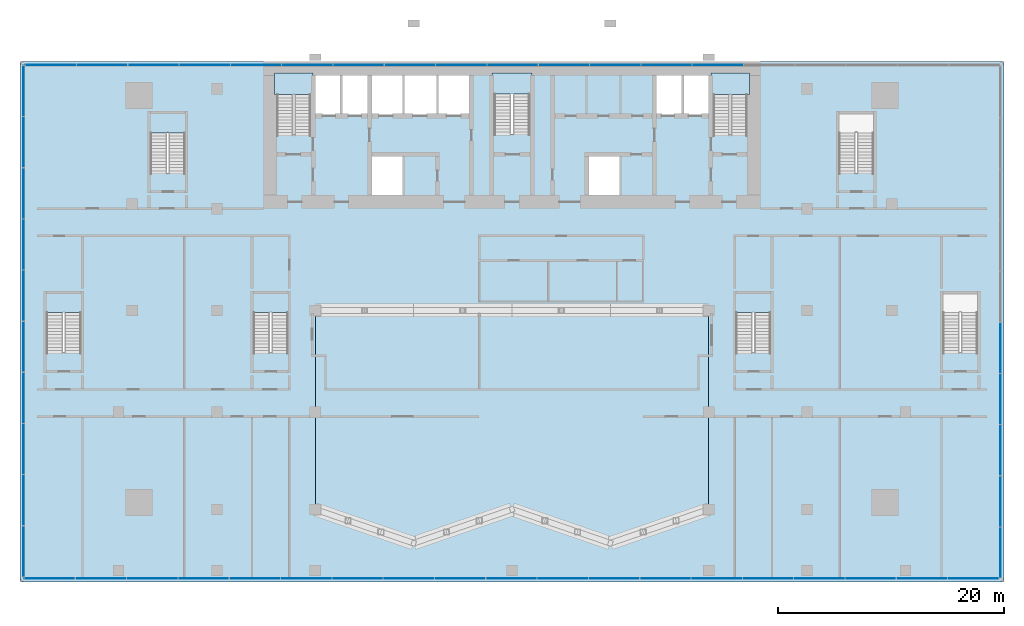
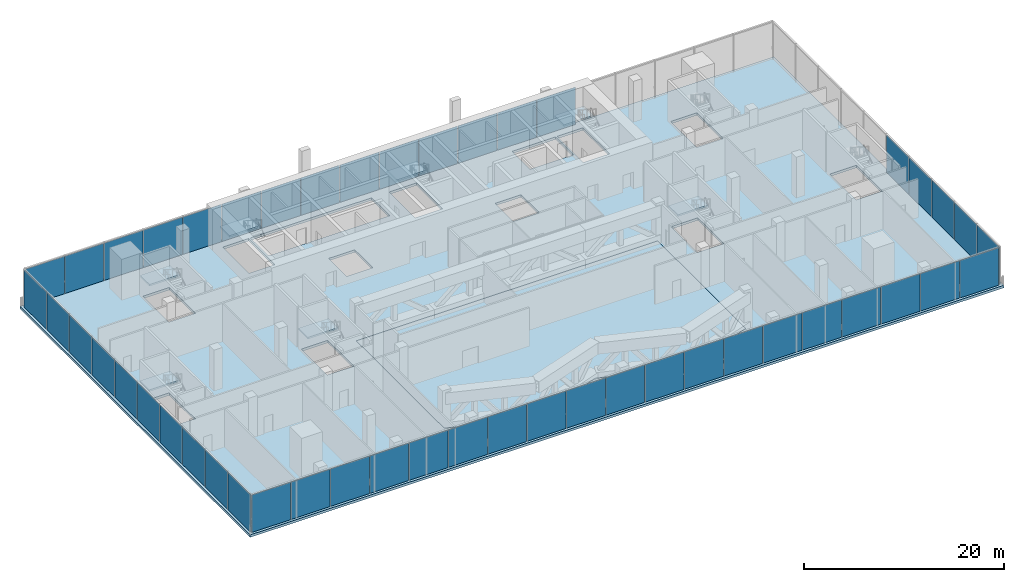
# One storey, part 11 of 22: 48 plates, 9 slabs, 11 elements without a shape of their own.
"""IFC4 building model written with IfcOpenShell, lengths in metres."""

from ifc_helpers import new_model, si_unit, direction, frame, origin, origin_2d, place, context, subcontext, project, spatial, polyline, rectangle, outline, extrude, material, layer, layer_set, type_object, element, aggregate, save


model = new_model("IFC4")

# Units and contexts
model_context = context("Model", 3, precision=1e-05, world=origin(), true_north=direction((0.0, 1.0)))
body_context = subcontext(model_context, "Body", "Model", "MODEL_VIEW")
ifc_project = project(units=[si_unit("LENGTHUNIT", "METRE"), si_unit("AREAUNIT", "SQUARE_METRE"), si_unit("VOLUMEUNIT", "CUBIC_METRE"), si_unit("PLANEANGLEUNIT", "RADIAN"), si_unit("MASSUNIT", "GRAM", prefix="KILO")], contexts=[model_context])

# Site, building, storey
site_placement = place(None, origin())
site = spatial("IfcSite", under=ifc_project, at=site_placement, CompositionType="ELEMENT")
building_placement = place(site_placement, origin())
building = spatial("IfcBuilding", under=site, at=building_placement, Name="Bicima Exchange Tower", CompositionType="ELEMENT")
storey_placement = place(building_placement, frame((0.0, 0.0, 20.0)))
storey = spatial("IfcBuildingStorey", under=building, at=storey_placement, Name="L03", CompositionType="ELEMENT", Elevation=20.0)

# Curtain wall, plates
ifc_material_1 = material(Name="Anodised bronze aluminium", Category="aluminium")
curtain_wall_type = type_object("IfcCurtainWallType", Name="Lobby glazing", PredefinedType="NOTDEFINED", material=ifc_material_1)
curtain_wall_1_placement = place(storey_placement, origin())
curtain_wall_1 = element("IfcCurtainWall", 1, at=curtain_wall_1_placement, inside=storey, type_object=curtain_wall_type, Name="Podium glazing L03 south 1", PredefinedType="NOTDEFINED")
ifc_material_2 = material(Name="Clear low-iron glass", Category="glass")
ifc_layer_1 = layer(ifc_material_2, 0.035888671875)
ifc_layer_set_1 = layer_set([ifc_layer_1], Name="Clear low-iron glass")
plate_type = type_object("IfcPlateType", Name="Lobby glazing glass panel 36", PredefinedType="CURTAIN_PANEL", material=ifc_layer_set_1)
plate_1_placement = place(storey_placement, frame((-40.900390625, -45.699951171875, 0.0), z_axis=(0.0, 0.0, 1.0), x_axis=(1.0, 0.0, 0.0)))
plate_1 = element("IfcPlate", 2, at=plate_1_placement, type_object=plate_type, Name="Lobby glazing panel 1.1", PredefinedType="CURTAIN_PANEL", context=body_context, shape_type="SweptSolid", body=[
    extrude(rectangle(XDim=4.47900390625, YDim=0.035888671875, at=origin_2d()), origin(), (0.0, 0.0, 1.0), 4.56005859375),
])
plate_2_placement = place(storey_placement, frame((-36.361572265625, -45.699951171875, 0.0), z_axis=(0.0, 0.0, 1.0), x_axis=(1.0, 0.0, 0.0)))
plate_2 = element("IfcPlate", 3, at=plate_2_placement, type_object=plate_type, Name="Lobby glazing panel 2.1", PredefinedType="CURTAIN_PANEL", context=body_context, shape_type="SweptSolid", body=[
    extrude(rectangle(XDim=4.47900390625, YDim=0.035888671875, at=origin_2d()), origin(), (0.0, 0.0, 1.0), 4.56005859375),
])
plate_3_placement = place(storey_placement, frame((-31.822509765625, -45.699951171875, 0.0), z_axis=(0.0, 0.0, 1.0), x_axis=(1.0, 0.0, 0.0)))
plate_3 = element("IfcPlate", 4, at=plate_3_placement, type_object=plate_type, Name="Lobby glazing panel 3.1", PredefinedType="CURTAIN_PANEL", context=body_context, shape_type="SweptSolid", body=[
    extrude(rectangle(XDim=4.47900390625, YDim=0.035888671875, at=origin_2d()), origin(), (0.0, 0.0, 1.0), 4.56005859375),
])
plate_4_placement = place(storey_placement, frame((-27.28369140625, -45.699951171875, 0.0), z_axis=(0.0, 0.0, 1.0), x_axis=(1.0, 0.0, 0.0)))
plate_4 = element("IfcPlate", 5, at=plate_4_placement, type_object=plate_type, Name="Lobby glazing panel 4.1", PredefinedType="CURTAIN_PANEL", context=body_context, shape_type="SweptSolid", body=[
    extrude(rectangle(XDim=4.47900390625, YDim=0.035888671875, at=origin_2d()), origin(), (0.0, 0.0, 1.0), 4.56005859375),
])
plate_5_placement = place(storey_placement, frame((-22.74462890625, -45.699951171875, 0.0), z_axis=(0.0, 0.0, 1.0), x_axis=(1.0, 0.0, 0.0)))
plate_5 = element("IfcPlate", 6, at=plate_5_placement, type_object=plate_type, Name="Lobby glazing panel 5.1", PredefinedType="CURTAIN_PANEL", context=body_context, shape_type="SweptSolid", body=[
    extrude(rectangle(XDim=4.47900390625, YDim=0.035888671875, at=origin_2d()), origin(), (0.0, 0.0, 1.0), 4.56005859375),
])
plate_6_placement = place(storey_placement, frame((-18.205810546875, -45.699951171875, 0.0), z_axis=(0.0, 0.0, 1.0), x_axis=(1.0, 0.0, 0.0)))
plate_6 = element("IfcPlate", 7, at=plate_6_placement, type_object=plate_type, Name="Lobby glazing panel 6.1", PredefinedType="CURTAIN_PANEL", context=body_context, shape_type="SweptSolid", body=[
    extrude(rectangle(XDim=4.47900390625, YDim=0.035888671875, at=origin_2d()), origin(), (0.0, 0.0, 1.0), 4.56005859375),
])
plate_7_placement = place(storey_placement, frame((-13.666748046875, -45.699951171875, 0.0), z_axis=(0.0, 0.0, 1.0), x_axis=(1.0, 0.0, 0.0)))
plate_7 = element("IfcPlate", 8, at=plate_7_placement, type_object=plate_type, Name="Lobby glazing panel 7.1", PredefinedType="CURTAIN_PANEL", context=body_context, shape_type="SweptSolid", body=[
    extrude(rectangle(XDim=4.47900390625, YDim=0.035888671875, at=origin_2d()), origin(), (0.0, 0.0, 1.0), 4.56005859375),
])
plate_8_placement = place(storey_placement, frame((-9.1279296875, -45.699951171875, 0.0), z_axis=(0.0, 0.0, 1.0), x_axis=(1.0, 0.0, 0.0)))
plate_8 = element("IfcPlate", 9, at=plate_8_placement, type_object=plate_type, Name="Lobby glazing panel 8.1", PredefinedType="CURTAIN_PANEL", context=body_context, shape_type="SweptSolid", body=[
    extrude(rectangle(XDim=4.47900390625, YDim=0.035888671875, at=origin_2d()), origin(), (0.0, 0.0, 1.0), 4.56005859375),
])
plate_9_placement = place(storey_placement, frame((-4.5888671875, -45.699951171875, 0.0), z_axis=(0.0, 0.0, 1.0), x_axis=(1.0, 0.0, 0.0)))
plate_9 = element("IfcPlate", 10, at=plate_9_placement, type_object=plate_type, Name="Lobby glazing panel 9.1", PredefinedType="CURTAIN_PANEL", context=body_context, shape_type="SweptSolid", body=[
    extrude(rectangle(XDim=4.47900390625, YDim=0.035888671875, at=origin_2d()), origin(), (0.0, 0.0, 1.0), 4.56005859375),
])
plate_10_placement = place(storey_placement, frame((-0.050048828125, -45.699951171875, 0.0), z_axis=(0.0, 0.0, 1.0), x_axis=(1.0, 0.0, 0.0)))
plate_10 = element("IfcPlate", 11, at=plate_10_placement, type_object=plate_type, Name="Lobby glazing panel 10.1", PredefinedType="CURTAIN_PANEL", context=body_context, shape_type="SweptSolid", body=[
    extrude(rectangle(XDim=4.47900390625, YDim=0.035888671875, at=origin_2d()), origin(), (0.0, 0.0, 1.0), 4.56005859375),
])
plate_11_placement = place(storey_placement, frame((4.489013671875, -45.699951171875, 0.0), z_axis=(0.0, 0.0, 1.0), x_axis=(1.0, 0.0, 0.0)))
plate_11 = element("IfcPlate", 12, at=plate_11_placement, type_object=plate_type, Name="Lobby glazing panel 11.1", PredefinedType="CURTAIN_PANEL", context=body_context, shape_type="SweptSolid", body=[
    extrude(rectangle(XDim=4.47900390625, YDim=0.035888671875, at=origin_2d()), origin(), (0.0, 0.0, 1.0), 4.56005859375),
])
plate_12_placement = place(storey_placement, frame((9.02783203125, -45.699951171875, 0.0), z_axis=(0.0, 0.0, 1.0), x_axis=(1.0, 0.0, 0.0)))
plate_12 = element("IfcPlate", 13, at=plate_12_placement, type_object=plate_type, Name="Lobby glazing panel 12.1", PredefinedType="CURTAIN_PANEL", context=body_context, shape_type="SweptSolid", body=[
    extrude(rectangle(XDim=4.47900390625, YDim=0.035888671875, at=origin_2d()), origin(), (0.0, 0.0, 1.0), 4.56005859375),
])
plate_13_placement = place(storey_placement, frame((13.56689453125, -45.699951171875, 0.0), z_axis=(0.0, 0.0, 1.0), x_axis=(1.0, 0.0, 0.0)))
plate_13 = element("IfcPlate", 14, at=plate_13_placement, type_object=plate_type, Name="Lobby glazing panel 13.1", PredefinedType="CURTAIN_PANEL", context=body_context, shape_type="SweptSolid", body=[
    extrude(rectangle(XDim=4.47900390625, YDim=0.035888671875, at=origin_2d()), origin(), (0.0, 0.0, 1.0), 4.56005859375),
])
plate_14_placement = place(storey_placement, frame((18.105712890625, -45.699951171875, 0.0), z_axis=(0.0, 0.0, 1.0), x_axis=(1.0, 0.0, 0.0)))
plate_14 = element("IfcPlate", 15, at=plate_14_placement, type_object=plate_type, Name="Lobby glazing panel 14.1", PredefinedType="CURTAIN_PANEL", context=body_context, shape_type="SweptSolid", body=[
    extrude(rectangle(XDim=4.47900390625, YDim=0.035888671875, at=origin_2d()), origin(), (0.0, 0.0, 1.0), 4.56005859375),
])
plate_15_placement = place(storey_placement, frame((22.644775390625, -45.699951171875, 0.0), z_axis=(0.0, 0.0, 1.0), x_axis=(1.0, 0.0, 0.0)))
plate_15 = element("IfcPlate", 16, at=plate_15_placement, type_object=plate_type, Name="Lobby glazing panel 15.1", PredefinedType="CURTAIN_PANEL", context=body_context, shape_type="SweptSolid", body=[
    extrude(rectangle(XDim=4.47900390625, YDim=0.035888671875, at=origin_2d()), origin(), (0.0, 0.0, 1.0), 4.56005859375),
])
plate_16_placement = place(storey_placement, frame((27.18359375, -45.699951171875, 0.0), z_axis=(0.0, 0.0, 1.0), x_axis=(1.0, 0.0, 0.0)))
plate_16 = element("IfcPlate", 17, at=plate_16_placement, type_object=plate_type, Name="Lobby glazing panel 16.1", PredefinedType="CURTAIN_PANEL", context=body_context, shape_type="SweptSolid", body=[
    extrude(rectangle(XDim=4.47900390625, YDim=0.035888671875, at=origin_2d()), origin(), (0.0, 0.0, 1.0), 4.56005859375),
])
plate_17_placement = place(storey_placement, frame((31.72265625, -45.699951171875, 0.0), z_axis=(0.0, 0.0, 1.0), x_axis=(1.0, 0.0, 0.0)))
plate_17 = element("IfcPlate", 18, at=plate_17_placement, type_object=plate_type, Name="Lobby glazing panel 17.1", PredefinedType="CURTAIN_PANEL", context=body_context, shape_type="SweptSolid", body=[
    extrude(rectangle(XDim=4.47900390625, YDim=0.035888671875, at=origin_2d()), origin(), (0.0, 0.0, 1.0), 4.56005859375),
])
plate_18_placement = place(storey_placement, frame((36.26171875, -45.699951171875, 0.0), z_axis=(0.0, 0.0, 1.0), x_axis=(1.0, 0.0, 0.0)))
plate_18 = element("IfcPlate", 19, at=plate_18_placement, type_object=plate_type, Name="Lobby glazing panel 18.1", PredefinedType="CURTAIN_PANEL", context=body_context, shape_type="SweptSolid", body=[
    extrude(rectangle(XDim=4.47900390625, YDim=0.035888671875, at=origin_2d()), origin(), (0.0, 0.0, 1.0), 4.56005859375),
])
plate_19_placement = place(storey_placement, frame((40.800537109375, -45.699951171875, 0.0), z_axis=(0.0, 0.0, 1.0), x_axis=(1.0, 0.0, 0.0)))
plate_19 = element("IfcPlate", 20, at=plate_19_placement, type_object=plate_type, Name="Lobby glazing panel 19.1", PredefinedType="CURTAIN_PANEL", context=body_context, shape_type="SweptSolid", body=[
    extrude(rectangle(XDim=4.47900390625, YDim=0.035888671875, at=origin_2d()), origin(), (0.0, 0.0, 1.0), 4.56005859375),
])
aggregate(curtain_wall_1, [plate_1, plate_2, plate_3, plate_4, plate_5, plate_6, plate_7, plate_8, plate_9, plate_10, plate_11, plate_12, plate_13, plate_14, plate_15, plate_16, plate_17, plate_18, plate_19])

curtain_wall_2_placement = place(storey_placement, origin())
curtain_wall_2 = element("IfcCurtainWall", 21, at=curtain_wall_2_placement, inside=storey, type_object=curtain_wall_type, Name="Podium glazing L03 east 1", PredefinedType="NOTDEFINED")
plate_20_placement = place(storey_placement, frame((43.199951171875, -43.407958984375, 0.0), z_axis=(0.0, 0.0, 1.0), x_axis=(0.0, 1.0, 0.0)))
plate_20 = element("IfcPlate", 22, at=plate_20_placement, type_object=plate_type, Name="Lobby glazing panel 1.1", PredefinedType="CURTAIN_PANEL", context=body_context, shape_type="SweptSolid", body=[
    extrude(rectangle(XDim=4.464111328125, YDim=0.035888671875, at=origin_2d()), origin(), (0.0, 0.0, 1.0), 4.56005859375),
])
plate_21_placement = place(storey_placement, frame((43.199951171875, -38.884033203125, 0.0), z_axis=(0.0, 0.0, 1.0), x_axis=(0.0, 1.0, 0.0)))
plate_21 = element("IfcPlate", 23, at=plate_21_placement, type_object=plate_type, Name="Lobby glazing panel 2.1", PredefinedType="CURTAIN_PANEL", context=body_context, shape_type="SweptSolid", body=[
    extrude(rectangle(XDim=4.464111328125, YDim=0.035888671875, at=origin_2d()), origin(), (0.0, 0.0, 1.0), 4.56005859375),
])
plate_22_placement = place(storey_placement, frame((43.199951171875, -34.360107421875, 0.0), z_axis=(0.0, 0.0, 1.0), x_axis=(0.0, 1.0, 0.0)))
plate_22 = element("IfcPlate", 24, at=plate_22_placement, type_object=plate_type, Name="Lobby glazing panel 3.1", PredefinedType="CURTAIN_PANEL", context=body_context, shape_type="SweptSolid", body=[
    extrude(rectangle(XDim=4.464111328125, YDim=0.035888671875, at=origin_2d()), origin(), (0.0, 0.0, 1.0), 4.56005859375),
])
plate_23_placement = place(storey_placement, frame((43.199951171875, -29.8359375, 0.0), z_axis=(0.0, 0.0, 1.0), x_axis=(0.0, 1.0, 0.0)))
plate_23 = element("IfcPlate", 25, at=plate_23_placement, type_object=plate_type, Name="Lobby glazing panel 4.1", PredefinedType="CURTAIN_PANEL", context=body_context, shape_type="SweptSolid", body=[
    extrude(rectangle(XDim=4.464111328125, YDim=0.035888671875, at=origin_2d()), origin(), (0.0, 0.0, 1.0), 4.56005859375),
])
plate_24_placement = place(storey_placement, frame((43.199951171875, -25.31201171875, 0.0), z_axis=(0.0, 0.0, 1.0), x_axis=(0.0, 1.0, 0.0)))
plate_24 = element("IfcPlate", 26, at=plate_24_placement, type_object=plate_type, Name="Lobby glazing panel 5.1", PredefinedType="CURTAIN_PANEL", context=body_context, shape_type="SweptSolid", body=[
    extrude(rectangle(XDim=4.464111328125, YDim=0.035888671875, at=origin_2d()), origin(), (0.0, 0.0, 1.0), 4.56005859375),
])
aggregate(curtain_wall_2, [plate_20, plate_21, plate_22, plate_23, plate_24])

curtain_wall_3_placement = place(storey_placement, origin())
curtain_wall_3 = element("IfcCurtainWall", 27, at=curtain_wall_3_placement, inside=storey, type_object=curtain_wall_type, Name="Podium glazing L03 north 1", PredefinedType="NOTDEFINED")
plate_25_placement = place(storey_placement, frame((18.205810546875, -0.300048828125, 0.0), z_axis=(0.0, 0.0, 1.0), x_axis=(-1.0, 0.0, 0.0)))
plate_25 = element("IfcPlate", 28, at=plate_25_placement, type_object=plate_type, Name="Lobby glazing panel 6.1", PredefinedType="CURTAIN_PANEL", context=body_context, shape_type="SweptSolid", body=[
    extrude(rectangle(XDim=4.47900390625, YDim=0.035888671875, at=origin_2d()), origin(), (0.0, 0.0, 1.0), 4.56005859375),
])
plate_26_placement = place(storey_placement, frame((13.666748046875, -0.300048828125, 0.0), z_axis=(0.0, 0.0, 1.0), x_axis=(-1.0, 0.0, 0.0)))
plate_26 = element("IfcPlate", 29, at=plate_26_placement, type_object=plate_type, Name="Lobby glazing panel 7.1", PredefinedType="CURTAIN_PANEL", context=body_context, shape_type="SweptSolid", body=[
    extrude(rectangle(XDim=4.47900390625, YDim=0.035888671875, at=origin_2d()), origin(), (0.0, 0.0, 1.0), 4.56005859375),
])
plate_27_placement = place(storey_placement, frame((9.1279296875, -0.300048828125, 0.0), z_axis=(0.0, 0.0, 1.0), x_axis=(-1.0, 0.0, 0.0)))
plate_27 = element("IfcPlate", 30, at=plate_27_placement, type_object=plate_type, Name="Lobby glazing panel 8.1", PredefinedType="CURTAIN_PANEL", context=body_context, shape_type="SweptSolid", body=[
    extrude(rectangle(XDim=4.47900390625, YDim=0.035888671875, at=origin_2d()), origin(), (0.0, 0.0, 1.0), 4.56005859375),
])
plate_28_placement = place(storey_placement, frame((4.5888671875, -0.300048828125, 0.0), z_axis=(0.0, 0.0, 1.0), x_axis=(-1.0, 0.0, 0.0)))
plate_28 = element("IfcPlate", 31, at=plate_28_placement, type_object=plate_type, Name="Lobby glazing panel 9.1", PredefinedType="CURTAIN_PANEL", context=body_context, shape_type="SweptSolid", body=[
    extrude(rectangle(XDim=4.47900390625, YDim=0.035888671875, at=origin_2d()), origin(), (0.0, 0.0, 1.0), 4.56005859375),
])
plate_29_placement = place(storey_placement, frame((0.050048828125, -0.300048828125, 0.0), z_axis=(0.0, 0.0, 1.0), x_axis=(-1.0, 0.0, 0.0)))
plate_29 = element("IfcPlate", 32, at=plate_29_placement, type_object=plate_type, Name="Lobby glazing panel 10.1", PredefinedType="CURTAIN_PANEL", context=body_context, shape_type="SweptSolid", body=[
    extrude(rectangle(XDim=4.47900390625, YDim=0.035888671875, at=origin_2d()), origin(), (0.0, 0.0, 1.0), 4.56005859375),
])
plate_30_placement = place(storey_placement, frame((-4.489013671875, -0.300048828125, 0.0), z_axis=(0.0, 0.0, 1.0), x_axis=(-1.0, 0.0, 0.0)))
plate_30 = element("IfcPlate", 33, at=plate_30_placement, type_object=plate_type, Name="Lobby glazing panel 11.1", PredefinedType="CURTAIN_PANEL", context=body_context, shape_type="SweptSolid", body=[
    extrude(rectangle(XDim=4.47900390625, YDim=0.035888671875, at=origin_2d()), origin(), (0.0, 0.0, 1.0), 4.56005859375),
])
plate_31_placement = place(storey_placement, frame((-9.02783203125, -0.300048828125, 0.0), z_axis=(0.0, 0.0, 1.0), x_axis=(-1.0, 0.0, 0.0)))
plate_31 = element("IfcPlate", 34, at=plate_31_placement, type_object=plate_type, Name="Lobby glazing panel 12.1", PredefinedType="CURTAIN_PANEL", context=body_context, shape_type="SweptSolid", body=[
    extrude(rectangle(XDim=4.47900390625, YDim=0.035888671875, at=origin_2d()), origin(), (0.0, 0.0, 1.0), 4.56005859375),
])
plate_32_placement = place(storey_placement, frame((-13.56689453125, -0.300048828125, 0.0), z_axis=(0.0, 0.0, 1.0), x_axis=(-1.0, 0.0, 0.0)))
plate_32 = element("IfcPlate", 35, at=plate_32_placement, type_object=plate_type, Name="Lobby glazing panel 13.1", PredefinedType="CURTAIN_PANEL", context=body_context, shape_type="SweptSolid", body=[
    extrude(rectangle(XDim=4.47900390625, YDim=0.035888671875, at=origin_2d()), origin(), (0.0, 0.0, 1.0), 4.56005859375),
])
plate_33_placement = place(storey_placement, frame((-18.105712890625, -0.300048828125, 0.0), z_axis=(0.0, 0.0, 1.0), x_axis=(-1.0, 0.0, 0.0)))
plate_33 = element("IfcPlate", 36, at=plate_33_placement, type_object=plate_type, Name="Lobby glazing panel 14.1", PredefinedType="CURTAIN_PANEL", context=body_context, shape_type="SweptSolid", body=[
    extrude(rectangle(XDim=4.47900390625, YDim=0.035888671875, at=origin_2d()), origin(), (0.0, 0.0, 1.0), 4.56005859375),
])
plate_34_placement = place(storey_placement, frame((-22.644775390625, -0.300048828125, 0.0), z_axis=(0.0, 0.0, 1.0), x_axis=(-1.0, 0.0, 0.0)))
plate_34 = element("IfcPlate", 37, at=plate_34_placement, type_object=plate_type, Name="Lobby glazing panel 15.1", PredefinedType="CURTAIN_PANEL", context=body_context, shape_type="SweptSolid", body=[
    extrude(rectangle(XDim=4.47900390625, YDim=0.035888671875, at=origin_2d()), origin(), (0.0, 0.0, 1.0), 4.56005859375),
])
plate_35_placement = place(storey_placement, frame((-27.18359375, -0.300048828125, 0.0), z_axis=(0.0, 0.0, 1.0), x_axis=(-1.0, 0.0, 0.0)))
plate_35 = element("IfcPlate", 38, at=plate_35_placement, type_object=plate_type, Name="Lobby glazing panel 16.1", PredefinedType="CURTAIN_PANEL", context=body_context, shape_type="SweptSolid", body=[
    extrude(rectangle(XDim=4.47900390625, YDim=0.035888671875, at=origin_2d()), origin(), (0.0, 0.0, 1.0), 4.56005859375),
])
plate_36_placement = place(storey_placement, frame((-31.72265625, -0.300048828125, 0.0), z_axis=(0.0, 0.0, 1.0), x_axis=(-1.0, 0.0, 0.0)))
plate_36 = element("IfcPlate", 39, at=plate_36_placement, type_object=plate_type, Name="Lobby glazing panel 17.1", PredefinedType="CURTAIN_PANEL", context=body_context, shape_type="SweptSolid", body=[
    extrude(rectangle(XDim=4.47900390625, YDim=0.035888671875, at=origin_2d()), origin(), (0.0, 0.0, 1.0), 4.56005859375),
])
plate_37_placement = place(storey_placement, frame((-36.26171875, -0.300048828125, 0.0), z_axis=(0.0, 0.0, 1.0), x_axis=(-1.0, 0.0, 0.0)))
plate_37 = element("IfcPlate", 40, at=plate_37_placement, type_object=plate_type, Name="Lobby glazing panel 18.1", PredefinedType="CURTAIN_PANEL", context=body_context, shape_type="SweptSolid", body=[
    extrude(rectangle(XDim=4.47900390625, YDim=0.035888671875, at=origin_2d()), origin(), (0.0, 0.0, 1.0), 4.56005859375),
])
plate_38_placement = place(storey_placement, frame((-40.800537109375, -0.300048828125, 0.0), z_axis=(0.0, 0.0, 1.0), x_axis=(-1.0, 0.0, 0.0)))
plate_38 = element("IfcPlate", 41, at=plate_38_placement, type_object=plate_type, Name="Lobby glazing panel 19.1", PredefinedType="CURTAIN_PANEL", context=body_context, shape_type="SweptSolid", body=[
    extrude(rectangle(XDim=4.47900390625, YDim=0.035888671875, at=origin_2d()), origin(), (0.0, 0.0, 1.0), 4.56005859375),
])
aggregate(curtain_wall_3, [plate_25, plate_26, plate_27, plate_28, plate_29, plate_30, plate_31, plate_32, plate_33, plate_34, plate_35, plate_36, plate_37, plate_38])

curtain_wall_4_placement = place(storey_placement, origin())
curtain_wall_4 = element("IfcCurtainWall", 42, at=curtain_wall_4_placement, inside=storey, type_object=curtain_wall_type, Name="Podium glazing L03 west 1", PredefinedType="NOTDEFINED")
plate_39_placement = place(storey_placement, frame((-43.199951171875, -2.592041015625, 0.0), z_axis=(0.0, 0.0, 1.0), x_axis=(0.0, -1.0, 0.0)))
plate_39 = element("IfcPlate", 43, at=plate_39_placement, type_object=plate_type, Name="Lobby glazing panel 1.1", PredefinedType="CURTAIN_PANEL", context=body_context, shape_type="SweptSolid", body=[
    extrude(rectangle(XDim=4.464111328125, YDim=0.035888671875, at=origin_2d()), origin(), (0.0, 0.0, 1.0), 4.56005859375),
])
plate_40_placement = place(storey_placement, frame((-43.199951171875, -7.115966796875, 0.0), z_axis=(0.0, 0.0, 1.0), x_axis=(0.0, -1.0, 0.0)))
plate_40 = element("IfcPlate", 44, at=plate_40_placement, type_object=plate_type, Name="Lobby glazing panel 2.1", PredefinedType="CURTAIN_PANEL", context=body_context, shape_type="SweptSolid", body=[
    extrude(rectangle(XDim=4.464111328125, YDim=0.035888671875, at=origin_2d()), origin(), (0.0, 0.0, 1.0), 4.56005859375),
])
plate_41_placement = place(storey_placement, frame((-43.199951171875, -11.639892578125, 0.0), z_axis=(0.0, 0.0, 1.0), x_axis=(0.0, -1.0, 0.0)))
plate_41 = element("IfcPlate", 45, at=plate_41_placement, type_object=plate_type, Name="Lobby glazing panel 3.1", PredefinedType="CURTAIN_PANEL", context=body_context, shape_type="SweptSolid", body=[
    extrude(rectangle(XDim=4.464111328125, YDim=0.035888671875, at=origin_2d()), origin(), (0.0, 0.0, 1.0), 4.56005859375),
])
plate_42_placement = place(storey_placement, frame((-43.199951171875, -16.1640625, 0.0), z_axis=(0.0, 0.0, 1.0), x_axis=(0.0, -1.0, 0.0)))
plate_42 = element("IfcPlate", 46, at=plate_42_placement, type_object=plate_type, Name="Lobby glazing panel 4.1", PredefinedType="CURTAIN_PANEL", context=body_context, shape_type="SweptSolid", body=[
    extrude(rectangle(XDim=4.464111328125, YDim=0.035888671875, at=origin_2d()), origin(), (0.0, 0.0, 1.0), 4.56005859375),
])
plate_43_placement = place(storey_placement, frame((-43.199951171875, -20.68798828125, 0.0), z_axis=(0.0, 0.0, 1.0), x_axis=(0.0, -1.0, 0.0)))
plate_43 = element("IfcPlate", 47, at=plate_43_placement, type_object=plate_type, Name="Lobby glazing panel 5.1", PredefinedType="CURTAIN_PANEL", context=body_context, shape_type="SweptSolid", body=[
    extrude(rectangle(XDim=4.464111328125, YDim=0.035888671875, at=origin_2d()), origin(), (0.0, 0.0, 1.0), 4.56005859375),
])
plate_44_placement = place(storey_placement, frame((-43.199951171875, -25.2119140625, 0.0), z_axis=(0.0, 0.0, 1.0), x_axis=(0.0, -1.0, 0.0)))
plate_44 = element("IfcPlate", 48, at=plate_44_placement, type_object=plate_type, Name="Lobby glazing panel 6.1", PredefinedType="CURTAIN_PANEL", context=body_context, shape_type="SweptSolid", body=[
    extrude(rectangle(XDim=4.464111328125, YDim=0.035888671875, at=origin_2d()), origin(), (0.0, 0.0, 1.0), 4.56005859375),
])
plate_45_placement = place(storey_placement, frame((-43.199951171875, -29.736083984375, 0.0), z_axis=(0.0, 0.0, 1.0), x_axis=(0.0, -1.0, 0.0)))
plate_45 = element("IfcPlate", 49, at=plate_45_placement, type_object=plate_type, Name="Lobby glazing panel 7.1", PredefinedType="CURTAIN_PANEL", context=body_context, shape_type="SweptSolid", body=[
    extrude(rectangle(XDim=4.464111328125, YDim=0.035888671875, at=origin_2d()), origin(), (0.0, 0.0, 1.0), 4.56005859375),
])
plate_46_placement = place(storey_placement, frame((-43.199951171875, -34.260009765625, 0.0), z_axis=(0.0, 0.0, 1.0), x_axis=(0.0, -1.0, 0.0)))
plate_46 = element("IfcPlate", 50, at=plate_46_placement, type_object=plate_type, Name="Lobby glazing panel 8.1", PredefinedType="CURTAIN_PANEL", context=body_context, shape_type="SweptSolid", body=[
    extrude(rectangle(XDim=4.464111328125, YDim=0.035888671875, at=origin_2d()), origin(), (0.0, 0.0, 1.0), 4.56005859375),
])
plate_47_placement = place(storey_placement, frame((-43.199951171875, -38.783935546875, 0.0), z_axis=(0.0, 0.0, 1.0), x_axis=(0.0, -1.0, 0.0)))
plate_47 = element("IfcPlate", 51, at=plate_47_placement, type_object=plate_type, Name="Lobby glazing panel 9.1", PredefinedType="CURTAIN_PANEL", context=body_context, shape_type="SweptSolid", body=[
    extrude(rectangle(XDim=4.464111328125, YDim=0.035888671875, at=origin_2d()), origin(), (0.0, 0.0, 1.0), 4.56005859375),
])
plate_48_placement = place(storey_placement, frame((-43.199951171875, -43.30810546875, 0.0), z_axis=(0.0, 0.0, 1.0), x_axis=(0.0, -1.0, 0.0)))
plate_48 = element("IfcPlate", 52, at=plate_48_placement, type_object=plate_type, Name="Lobby glazing panel 10.1", PredefinedType="CURTAIN_PANEL", context=body_context, shape_type="SweptSolid", body=[
    extrude(rectangle(XDim=4.464111328125, YDim=0.035888671875, at=origin_2d()), origin(), (0.0, 0.0, 1.0), 4.56005859375),
])
aggregate(curtain_wall_4, [plate_39, plate_40, plate_41, plate_42, plate_43, plate_44, plate_45, plate_46, plate_47, plate_48])

# Slabs
ifc_material_3 = material(Name="Concrete C50/60", Category="concrete")
ifc_layer_2 = layer(ifc_material_3, 0.60009765625)
ifc_layer_set_2 = layer_set([ifc_layer_2], Name="Concrete C50/60")
slab_type_1 = type_object("IfcSlabType", Name="Post-tensioned hall roof slab 600", PredefinedType="FLOOR", material=ifc_layer_set_2)
slab_1_placement = place(storey_placement, frame((0.0, 0.0, -0.60009765625)))
element("IfcSlab", 53, at=slab_1_placement, inside=storey, type_object=slab_type_1, Name="Hall roof slab", PredefinedType="FLOOR", context=body_context, shape_type="SweptSolid", body=[
    extrude(outline(polyline([(-17.39990234375, -22.0), (-8.699951171875, -22.0), (0.0, -22.0), (8.699951171875, -22.0), (17.39990234375, -22.0), (17.39990234375, -39.60009765625), (8.699951171875, -42.591064453125), (0.0, -39.60009765625), (-8.699951171875, -42.591064453125), (-17.39990234375, -39.60009765625), (-17.39990234375, -22.0)])), origin(), (0.0, 0.0, 1.0), 0.60009765625),
])
ifc_material_4 = material(Name="Concrete C40/50", Category="concrete")
ifc_layer_3 = layer(ifc_material_4, 0.300048828125)
ifc_layer_set_3 = layer_set([ifc_layer_3], Name="Concrete C40/50")
slab_type_2 = type_object("IfcSlabType", Name="Reinforced concrete flat plate 300", PredefinedType="FLOOR", material=ifc_layer_set_3)
slab_2_placement = place(storey_placement, frame((0.0, 0.0, -0.300048828125)))
element("IfcSlab", 54, at=slab_2_placement, inside=storey, type_object=slab_type_2, Name="Floor slab", PredefinedType="FLOOR", context=body_context, shape_type="SweptSolid", body=[
    extrude(outline(polyline([(-43.5, 0.0), (43.5, 0.0), (43.5, -46.0), (-43.5, -46.0), (-43.5, 0.0)]), holes=[polyline([(-41.175048828125, -25.72509765625), (-38.125, -25.72509765625), (-38.125, -20.52490234375), (-41.175048828125, -20.52490234375), (-41.175048828125, -25.72509765625)]), polyline([(-22.875, -25.72509765625), (-19.824951171875, -25.72509765625), (-19.824951171875, -20.52490234375), (-22.875, -20.52490234375), (-22.875, -25.72509765625)]), polyline([(-12.60009765625, -11.800048828125), (-9.60009765625, -11.800048828125), (-9.60009765625, -8.199951171875), (-12.60009765625, -8.199951171875), (-12.60009765625, -11.800048828125)]), polyline([(-31.97509765625, -9.824951171875), (-28.925048828125, -9.824951171875), (-28.925048828125, -4.625), (-31.97509765625, -4.625), (-31.97509765625, -9.824951171875)]), polyline([(-20.800048828125, -6.449951171875), (-17.800048828125, -6.449951171875), (-17.800048828125, -1.199951171875), (-20.800048828125, -1.199951171875), (-20.800048828125, -6.449951171875)]), polyline([(-17.60009765625, -1.199951171875), (-17.60009765625, -4.800048828125), (-15.10009765625, -4.800048828125), (-12.60009765625, -4.800048828125), (-9.60009765625, -4.800048828125), (-6.60009765625, -4.800048828125), (-3.60009765625, -4.800048828125), (-3.60009765625, -1.199951171875), (-6.60009765625, -1.199951171875), (-9.60009765625, -1.199951171875), (-12.60009765625, -1.199951171875), (-15.10009765625, -1.199951171875), (-17.60009765625, -1.199951171875)]), polyline([(8.699951171875, -22.0), (0.0, -22.0), (-8.699951171875, -22.0), (-17.39990234375, -22.0), (-17.39990234375, -39.60009765625), (-8.699951171875, -42.591064453125), (0.0, -39.60009765625), (8.699951171875, -42.591064453125), (17.39990234375, -39.60009765625), (17.39990234375, -22.0), (8.699951171875, -22.0)]), polyline([(19.824951171875, -25.72509765625), (22.875, -25.72509765625), (22.875, -20.52490234375), (19.824951171875, -20.52490234375), (19.824951171875, -25.72509765625)]), polyline([(38.125, -20.52490234375), (38.125, -25.72509765625), (41.175048828125, -25.72509765625), (41.175048828125, -20.52490234375), (38.125, -20.52490234375)]), polyline([(6.60009765625, -8.199951171875), (6.60009765625, -11.800048828125), (9.60009765625, -11.800048828125), (9.60009765625, -8.199951171875), (6.60009765625, -8.199951171875)]), polyline([(28.925048828125, -9.824951171875), (31.97509765625, -9.824951171875), (31.97509765625, -4.625), (28.925048828125, -4.625), (28.925048828125, -9.824951171875)]), polyline([(17.800048828125, -6.449951171875), (20.800048828125, -6.449951171875), (20.800048828125, -1.199951171875), (17.800048828125, -1.199951171875), (17.800048828125, -6.449951171875)]), polyline([(-1.574951171875, -6.39990234375), (1.574951171875, -6.39990234375), (1.574951171875, -1.199951171875), (-1.574951171875, -1.199951171875), (-1.574951171875, -6.39990234375)]), polyline([(15.10009765625, -4.800048828125), (17.60009765625, -4.800048828125), (17.60009765625, -1.199951171875), (15.10009765625, -1.199951171875), (12.60009765625, -1.199951171875), (12.60009765625, -4.800048828125), (15.10009765625, -4.800048828125)])]), origin(), (0.0, 0.0, 1.0), 0.300048828125),
])

# Stair, slab
stair_type_1 = type_object("IfcStairType", Name="Exit stair", PredefinedType="HALF_TURN_STAIR", material=ifc_material_3)
stair_1_placement = place(storey_placement, origin())
stair_1 = element("IfcStair", 55, at=stair_1_placement, inside=storey, type_object=stair_type_1, Name="L03 West exit stair", PredefinedType="HALF_TURN_STAIR")
ifc_layer_4 = layer(ifc_material_3, 0.199951171875)
ifc_layer_set_4 = layer_set([ifc_layer_4], Name="Concrete C50/60")
slab_type_3 = type_object("IfcSlabType", Name="Stair landing slab", PredefinedType="LANDING", material=ifc_layer_set_4)
slab_3_placement = place(storey_placement, frame((0.0, 0.0, 2.300048828125)))
slab_3 = element("IfcSlab", 56, at=slab_3_placement, type_object=slab_type_3, Name="ST-W landing 1", PredefinedType="LANDING", context=body_context, shape_type="SweptSolid", body=[
    extrude(outline(polyline([(-17.60009765625, -2.909912109375), (-17.60009765625, -1.0), (-21.0, -1.0), (-21.0, -2.909912109375), (-17.60009765625, -2.909912109375)])), origin(), (0.0, 0.0, 1.0), 0.199951171875),
])
aggregate(stair_1, [slab_3])

stair_type_2 = type_object("IfcStairType", Name="Exit stair 1500", PredefinedType="HALF_TURN_STAIR", material=ifc_material_3)
stair_2_placement = place(storey_placement, origin())
stair_2 = element("IfcStair", 57, at=stair_2_placement, inside=storey, type_object=stair_type_2, Name="L03 Central exit stair", PredefinedType="HALF_TURN_STAIR")
slab_4_placement = place(storey_placement, frame((0.0, 0.0, 2.300048828125)))
slab_4 = element("IfcSlab", 58, at=slab_4_placement, type_object=slab_type_3, Name="ST-C landing 1", PredefinedType="LANDING", context=body_context, shape_type="SweptSolid", body=[
    extrude(outline(polyline([(1.77490234375, -2.860107421875), (1.77490234375, -1.0), (-1.77490234375, -1.0), (-1.77490234375, -2.860107421875), (1.77490234375, -2.860107421875)])), origin(), (0.0, 0.0, 1.0), 0.199951171875),
])
aggregate(stair_2, [slab_4])

stair_3_placement = place(storey_placement, origin())
stair_3 = element("IfcStair", 59, at=stair_3_placement, inside=storey, type_object=stair_type_1, Name="L03 East exit stair", PredefinedType="HALF_TURN_STAIR")
slab_5_placement = place(storey_placement, frame((0.0, 0.0, 2.300048828125)))
slab_5 = element("IfcSlab", 60, at=slab_5_placement, type_object=slab_type_3, Name="ST-E landing 1", PredefinedType="LANDING", context=body_context, shape_type="SweptSolid", body=[
    extrude(outline(polyline([(21.0, -2.909912109375), (21.0, -1.0), (17.60009765625, -1.0), (17.60009765625, -2.909912109375), (21.0, -2.909912109375)])), origin(), (0.0, 0.0, 1.0), 0.199951171875),
])
aggregate(stair_3, [slab_5])

stair_4_placement = place(storey_placement, origin())
stair_4 = element("IfcStair", 61, at=stair_4_placement, inside=storey, type_object=stair_type_1, Name="L03 West end exit stair", PredefinedType="HALF_TURN_STAIR")
slab_6_placement = place(storey_placement, frame((0.0, 0.0, 2.300048828125)))
slab_6 = element("IfcSlab", 62, at=slab_6_placement, type_object=slab_type_3, Name="ST-WW landing 1", PredefinedType="LANDING", context=body_context, shape_type="SweptSolid", body=[
    extrude(outline(polyline([(-28.72509765625, -6.284912109375), (-28.72509765625, -4.425048828125), (-32.175048828125, -4.425048828125), (-32.175048828125, -6.284912109375), (-28.72509765625, -6.284912109375)])), origin(), (0.0, 0.0, 1.0), 0.199951171875),
])
aggregate(stair_4, [slab_6])

stair_5_placement = place(storey_placement, origin())
stair_5 = element("IfcStair", 63, at=stair_5_placement, inside=storey, type_object=stair_type_1, Name="L03 Podium west stair", PredefinedType="HALF_TURN_STAIR")
slab_7_placement = place(storey_placement, frame((0.0, 0.0, 2.300048828125)))
slab_7 = element("IfcSlab", 64, at=slab_7_placement, type_object=slab_type_3, Name="PS-W landing 1", PredefinedType="LANDING", context=body_context, shape_type="SweptSolid", body=[
    extrude(outline(polyline([(-37.925048828125, -22.18505859375), (-37.925048828125, -20.324951171875), (-41.375, -20.324951171875), (-41.375, -22.18505859375), (-37.925048828125, -22.18505859375)])), origin(), (0.0, 0.0, 1.0), 0.199951171875),
])
aggregate(stair_5, [slab_7])

stair_6_placement = place(storey_placement, origin())
stair_6 = element("IfcStair", 65, at=stair_6_placement, inside=storey, type_object=stair_type_1, Name="L03 Podium inner west stair", PredefinedType="HALF_TURN_STAIR")
slab_8_placement = place(storey_placement, frame((0.0, 0.0, 2.300048828125)))
slab_8 = element("IfcSlab", 66, at=slab_8_placement, type_object=slab_type_3, Name="PS-WI landing 1", PredefinedType="LANDING", context=body_context, shape_type="SweptSolid", body=[
    extrude(outline(polyline([(-19.625, -22.18505859375), (-19.625, -20.324951171875), (-23.074951171875, -20.324951171875), (-23.074951171875, -22.18505859375), (-19.625, -22.18505859375)])), origin(), (0.0, 0.0, 1.0), 0.199951171875),
])
aggregate(stair_6, [slab_8])

stair_7_placement = place(storey_placement, origin())
stair_7 = element("IfcStair", 67, at=stair_7_placement, inside=storey, type_object=stair_type_1, Name="L03 Podium inner east stair", PredefinedType="HALF_TURN_STAIR")
slab_9_placement = place(storey_placement, frame((0.0, 0.0, 2.300048828125)))
slab_9 = element("IfcSlab", 68, at=slab_9_placement, type_object=slab_type_3, Name="PS-EI landing 1", PredefinedType="LANDING", context=body_context, shape_type="SweptSolid", body=[
    extrude(outline(polyline([(23.074951171875, -22.18505859375), (23.074951171875, -20.324951171875), (19.625, -20.324951171875), (19.625, -22.18505859375), (23.074951171875, -22.18505859375)])), origin(), (0.0, 0.0, 1.0), 0.199951171875),
])
aggregate(stair_7, [slab_9])

save(model, "model.ifc")
